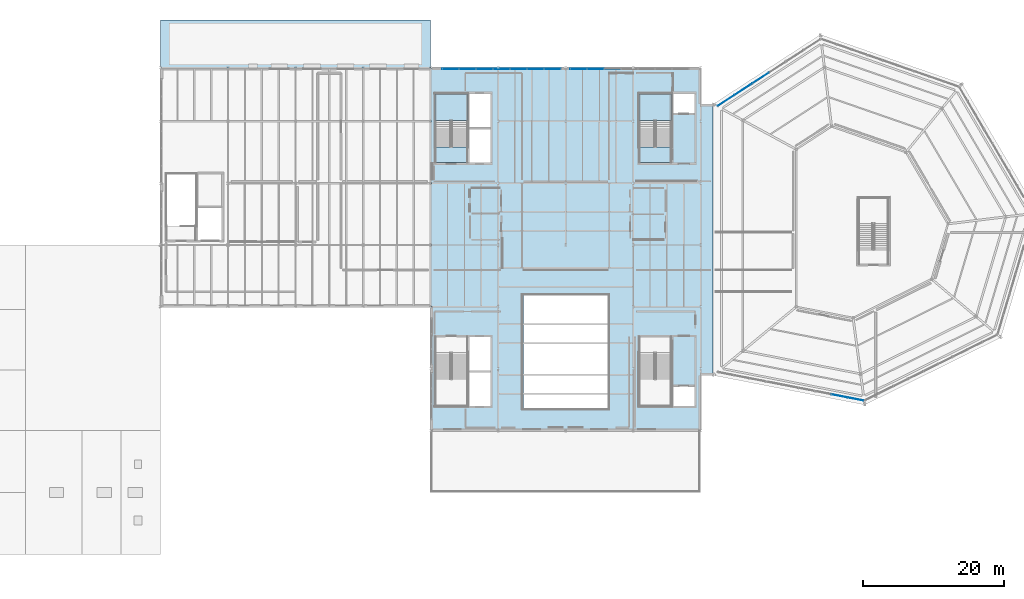
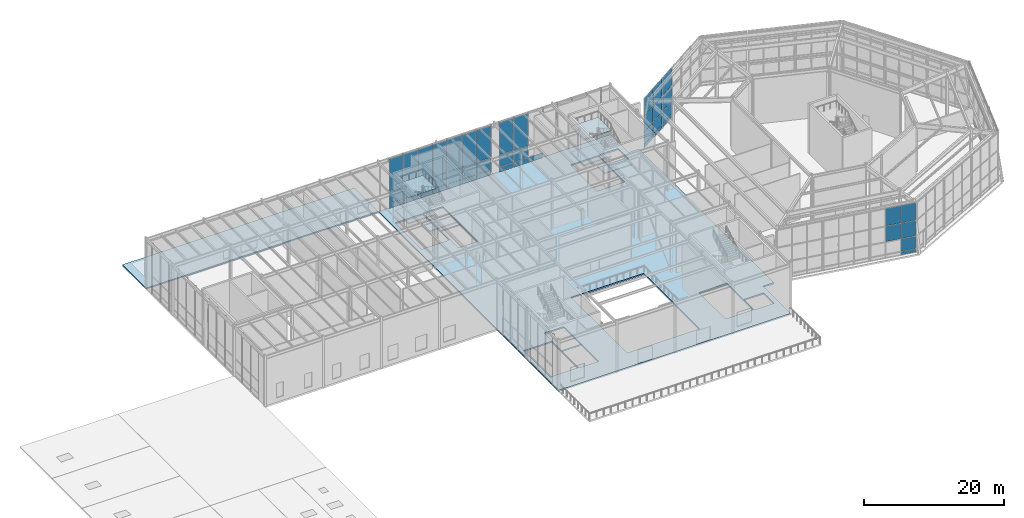
# One storey, part 27 of 48: 46 plates, 8 slabs, 7 elements without a shape of their own.
"""IFC4 building model written with IfcOpenShell, lengths in metres."""

from ifc_helpers import new_model, si_unit, direction, frame, origin, origin_2d, place, context, subcontext, project, spatial, polyline, rectangle, outline, extrude, material, layer, layer_set, type_object, element, aggregate, save


model = new_model("IFC4")

# Units and contexts
model_context = context("Model", 3, precision=1e-05, world=origin(), true_north=direction((0.0, 1.0)))
body_context = subcontext(model_context, "Body", "Model", "MODEL_VIEW")
ifc_project = project(units=[si_unit("LENGTHUNIT", "METRE"), si_unit("AREAUNIT", "SQUARE_METRE"), si_unit("VOLUMEUNIT", "CUBIC_METRE"), si_unit("PLANEANGLEUNIT", "RADIAN"), si_unit("MASSUNIT", "GRAM", prefix="KILO")], contexts=[model_context])

# Site, building, storey
site_placement = place(None, origin())
site = spatial("IfcSite", under=ifc_project, at=site_placement, CompositionType="ELEMENT")
building_placement = place(site_placement, origin())
building = spatial("IfcBuilding", under=site, at=building_placement, Name="Sarnbrook Museum", CompositionType="ELEMENT")
storey_placement = place(building_placement, frame((0.0, 0.0, 19.10009765625)))
storey = spatial("IfcBuildingStorey", under=building, at=storey_placement, Name="L04", CompositionType="ELEMENT", Elevation=19.10009765625)

# Curtain wall, plates
ifc_material_1 = material(Name="Thermally Broken Anodised Aluminium 6063-T6", Category="aluminium")
curtain_wall_type_1 = type_object("IfcCurtainWallType", Name="CurtainWall_CrystalFacet", PredefinedType="NOTDEFINED", material=ifc_material_1)
curtain_wall_1_placement = place(storey_placement, origin())
curtain_wall_1 = element("IfcCurtainWall", 1, at=curtain_wall_1_placement, inside=storey, type_object=curtain_wall_type_1, Name="Crystal Hall Facet Curtain Wall L04-F1.3", PredefinedType="NOTDEFINED")
ifc_material_2 = material(Name="Double-Glazed Low-Iron Laminated Safety Glass", Category="glass")
ifc_layer_1 = layer(ifc_material_2, 0.031982421875)
ifc_layer_set_1 = layer_set([ifc_layer_1], Name="Double-Glazed Low-Iron Laminated Safety Glass")
plate_type_1 = type_object("IfcPlateType", Name="CW_GlazedPanel_32", PredefinedType="CURTAIN_PANEL", material=ifc_layer_set_1)
plate_1_placement = place(storey_placement, frame((138.984619140625, 61.74853515625, 4.224853515625), z_axis=(-0.191312886927, -0.981529102623, 0.0), x_axis=(0.981529102623, -0.191312886927, 0.0)))
plate_1 = element("IfcPlate", 2, at=plate_1_placement, type_object=plate_type_1, Name="Crystal Hall Facet Curtain Wall L04-F1.3 Glazed Panel 2-3", PredefinedType="CURTAIN_PANEL", context=body_context, shape_type="SweptSolid", body=[
    extrude(rectangle(XDim=2.239501953125, YDim=2.679931640625, at=origin_2d()), origin(), (0.0, 0.0, 1.0), 0.031982421875),
])
plate_2_placement = place(storey_placement, frame((138.984619140625, 61.74853515625, 7.169921875), z_axis=(-0.191312886927, -0.981529102623, 0.0), x_axis=(0.981529102623, -0.191312886927, 0.0)))
plate_2 = element("IfcPlate", 3, at=plate_2_placement, type_object=plate_type_1, Name="Crystal Hall Facet Curtain Wall L04-F1.3 Glazed Panel 2-4", PredefinedType="CURTAIN_PANEL", context=body_context, shape_type="SweptSolid", body=[
    extrude(rectangle(XDim=2.239501953125, YDim=3.070068359375, at=origin_2d()), origin(), (0.0, 0.0, 1.0), 0.031982421875),
])
plate_3_placement = place(storey_placement, frame((141.25634765625, 61.305908203125, 1.75), z_axis=(-0.191312886927, -0.981529102623, 0.0), x_axis=(0.981529102623, -0.191312886927, 0.0)))
plate_3 = element("IfcPlate", 4, at=plate_3_placement, type_object=plate_type_1, Name="Crystal Hall Facet Curtain Wall L04-F1.3 Glazed Panel 3-2", PredefinedType="CURTAIN_PANEL", context=body_context, shape_type="SweptSolid", body=[
    extrude(rectangle(XDim=2.239501953125, YDim=2.1298828125, at=origin_2d()), origin(), (0.0, 0.0, 1.0), 0.031982421875),
])
plate_4_placement = place(storey_placement, frame((141.25634765625, 61.305908203125, 4.224853515625), z_axis=(-0.191312886927, -0.981529102623, 0.0), x_axis=(0.981529102623, -0.191312886927, 0.0)))
plate_4 = element("IfcPlate", 5, at=plate_4_placement, type_object=plate_type_1, Name="Crystal Hall Facet Curtain Wall L04-F1.3 Glazed Panel 3-3", PredefinedType="CURTAIN_PANEL", context=body_context, shape_type="SweptSolid", body=[
    extrude(rectangle(XDim=2.239501953125, YDim=2.679931640625, at=origin_2d()), origin(), (0.0, 0.0, 1.0), 0.031982421875),
])
plate_5_placement = place(storey_placement, frame((141.25634765625, 61.305908203125, 7.169921875), z_axis=(-0.191312886927, -0.981529102623, 0.0), x_axis=(0.981529102623, -0.191312886927, 0.0)))
plate_5 = element("IfcPlate", 6, at=plate_5_placement, type_object=plate_type_1, Name="Crystal Hall Facet Curtain Wall L04-F1.3 Glazed Panel 3-4", PredefinedType="CURTAIN_PANEL", context=body_context, shape_type="SweptSolid", body=[
    extrude(rectangle(XDim=2.239501953125, YDim=3.070068359375, at=origin_2d()), origin(), (0.0, 0.0, 1.0), 0.031982421875),
])

curtain_wall_2_placement = place(storey_placement, origin())
curtain_wall_2 = element("IfcCurtainWall", 7, at=curtain_wall_2_placement, inside=storey, type_object=curtain_wall_type_1, Name="Crystal Hall Facet Curtain Wall L04-F6.2", PredefinedType="NOTDEFINED")
plate_6_placement = place(storey_placement, frame((127.74169921875, 106.927978515625, 1.75), z_axis=(-0.544286878136, 0.83889915621, 0.0), x_axis=(-0.83889915621, -0.544286878136, 0.0)))
plate_6 = element("IfcPlate", 8, at=plate_6_placement, type_object=plate_type_1, Name="Crystal Hall Facet Curtain Wall L04-F6.2 Glazed Panel 2-2", PredefinedType="CURTAIN_PANEL", context=body_context, shape_type="SweptSolid", body=[
    extrude(rectangle(XDim=2.778076171875, YDim=2.1298828125, at=origin_2d()), origin(), (0.0, 0.0, 1.0), 0.031982421875),
])
plate_7_placement = place(storey_placement, frame((127.74169921875, 106.927978515625, 4.224853515625), z_axis=(-0.544286878136, 0.83889915621, 0.0), x_axis=(-0.83889915621, -0.544286878136, 0.0)))
plate_7 = element("IfcPlate", 9, at=plate_7_placement, type_object=plate_type_1, Name="Crystal Hall Facet Curtain Wall L04-F6.2 Glazed Panel 2-3", PredefinedType="CURTAIN_PANEL", context=body_context, shape_type="SweptSolid", body=[
    extrude(rectangle(XDim=2.778076171875, YDim=2.679931640625, at=origin_2d()), origin(), (0.0, 0.0, 1.0), 0.031982421875),
])
plate_8_placement = place(storey_placement, frame((127.74169921875, 106.927978515625, 7.169921875), z_axis=(-0.544286878136, 0.83889915621, 0.0), x_axis=(-0.83889915621, -0.544286878136, 0.0)))
plate_8 = element("IfcPlate", 10, at=plate_8_placement, type_object=plate_type_1, Name="Crystal Hall Facet Curtain Wall L04-F6.2 Glazed Panel 2-4", PredefinedType="CURTAIN_PANEL", context=body_context, shape_type="SweptSolid", body=[
    extrude(rectangle(XDim=2.778076171875, YDim=3.070068359375, at=origin_2d()), origin(), (0.0, 0.0, 1.0), 0.031982421875),
])

curtain_wall_3_placement = place(storey_placement, origin())
curtain_wall_3 = element("IfcCurtainWall", 11, at=curtain_wall_3_placement, inside=storey, type_object=curtain_wall_type_1, Name="Crystal Hall Facet Curtain Wall L04-F6.3", PredefinedType="NOTDEFINED")
plate_9_placement = place(storey_placement, frame((125.214111328125, 105.2880859375, 1.75), z_axis=(-0.544286878136, 0.83889915621, 0.0), x_axis=(-0.83889915621, -0.544286878136, 0.0)))
plate_9 = element("IfcPlate", 12, at=plate_9_placement, type_object=plate_type_1, Name="Crystal Hall Facet Curtain Wall L04-F6.3 Glazed Panel 1-2", PredefinedType="CURTAIN_PANEL", context=body_context, shape_type="SweptSolid", body=[
    extrude(rectangle(XDim=2.778076171875, YDim=2.1298828125, at=origin_2d()), origin(), (0.0, 0.0, 1.0), 0.031982421875),
])
plate_10_placement = place(storey_placement, frame((125.214111328125, 105.2880859375, 4.224853515625), z_axis=(-0.544286878136, 0.83889915621, 0.0), x_axis=(-0.83889915621, -0.544286878136, 0.0)))
plate_10 = element("IfcPlate", 13, at=plate_10_placement, type_object=plate_type_1, Name="Crystal Hall Facet Curtain Wall L04-F6.3 Glazed Panel 1-3", PredefinedType="CURTAIN_PANEL", context=body_context, shape_type="SweptSolid", body=[
    extrude(rectangle(XDim=2.778076171875, YDim=2.679931640625, at=origin_2d()), origin(), (0.0, 0.0, 1.0), 0.031982421875),
])
plate_11_placement = place(storey_placement, frame((125.214111328125, 105.2880859375, 7.169921875), z_axis=(-0.544286878136, 0.83889915621, 0.0), x_axis=(-0.83889915621, -0.544286878136, 0.0)))
plate_11 = element("IfcPlate", 14, at=plate_11_placement, type_object=plate_type_1, Name="Crystal Hall Facet Curtain Wall L04-F6.3 Glazed Panel 1-4", PredefinedType="CURTAIN_PANEL", context=body_context, shape_type="SweptSolid", body=[
    extrude(rectangle(XDim=2.778076171875, YDim=3.070068359375, at=origin_2d()), origin(), (0.0, 0.0, 1.0), 0.031982421875),
])
plate_12_placement = place(storey_placement, frame((122.82080078125, 103.7353515625, 1.75), z_axis=(-0.544286878136, 0.83889915621, 0.0), x_axis=(-0.83889915621, -0.544286878136, 0.0)))
plate_12 = element("IfcPlate", 15, at=plate_12_placement, type_object=plate_type_1, Name="Crystal Hall Facet Curtain Wall L04-F6.3 Glazed Panel 2-2", PredefinedType="CURTAIN_PANEL", context=body_context, shape_type="SweptSolid", body=[
    extrude(rectangle(XDim=2.778076171875, YDim=2.1298828125, at=origin_2d()), origin(), (0.0, 0.0, 1.0), 0.031982421875),
])
plate_13_placement = place(storey_placement, frame((122.82080078125, 103.7353515625, 4.224853515625), z_axis=(-0.544286878136, 0.83889915621, 0.0), x_axis=(-0.83889915621, -0.544286878136, 0.0)))
plate_13 = element("IfcPlate", 16, at=plate_13_placement, type_object=plate_type_1, Name="Crystal Hall Facet Curtain Wall L04-F6.3 Glazed Panel 2-3", PredefinedType="CURTAIN_PANEL", context=body_context, shape_type="SweptSolid", body=[
    extrude(rectangle(XDim=2.778076171875, YDim=2.679931640625, at=origin_2d()), origin(), (0.0, 0.0, 1.0), 0.031982421875),
])
plate_14_placement = place(storey_placement, frame((122.82080078125, 103.7353515625, 7.169921875), z_axis=(-0.544286878136, 0.83889915621, 0.0), x_axis=(-0.83889915621, -0.544286878136, 0.0)))
plate_14 = element("IfcPlate", 17, at=plate_14_placement, type_object=plate_type_1, Name="Crystal Hall Facet Curtain Wall L04-F6.3 Glazed Panel 2-4", PredefinedType="CURTAIN_PANEL", context=body_context, shape_type="SweptSolid", body=[
    extrude(rectangle(XDim=2.778076171875, YDim=3.070068359375, at=origin_2d()), origin(), (0.0, 0.0, 1.0), 0.031982421875),
])

curtain_wall_type_2 = type_object("IfcCurtainWallType", Name="CurtainWall_GalleryRibbon", PredefinedType="NOTDEFINED", material=ifc_material_1)
curtain_wall_4_placement = place(storey_placement, origin())
curtain_wall_4 = element("IfcCurtainWall", 18, at=curtain_wall_4_placement, inside=storey, type_object=curtain_wall_type_2, Name="Gallery Ribbon Curtain Wall L04-10.1", PredefinedType="NOTDEFINED")
plate_15_placement = place(storey_placement, frame((104.25439453125, 108.23193359375, 1.949951171875), z_axis=(0.0, 1.0, 0.0), x_axis=(-1.0, 0.0, 0.0)))
plate_15 = element("IfcPlate", 19, at=plate_15_placement, type_object=plate_type_1, Name="Gallery Ribbon Curtain Wall L04-10.1 Glazed Panel 6-2", PredefinedType="CURTAIN_PANEL", context=body_context, shape_type="SweptSolid", body=[
    extrude(rectangle(XDim=2.347900390625, YDim=2.030029296875, at=origin_2d()), origin(), (0.0, 0.0, 1.0), 0.031982421875),
])
plate_16_placement = place(storey_placement, frame((104.25439453125, 108.23193359375, 5.829833984375), z_axis=(0.0, 1.0, 0.0), x_axis=(-1.0, 0.0, 0.0)))
plate_16 = element("IfcPlate", 20, at=plate_16_placement, type_object=plate_type_1, Name="Gallery Ribbon Curtain Wall L04-10.1 Glazed Panel 6-3", PredefinedType="CURTAIN_PANEL", context=body_context, shape_type="SweptSolid", body=[
    extrude(rectangle(XDim=2.347900390625, YDim=5.590087890625, at=origin_2d()), origin(), (0.0, 0.0, 1.0), 0.031982421875),
])
plate_17_placement = place(storey_placement, frame((101.831298828125, 108.23193359375, 1.949951171875), z_axis=(0.0, 1.0, 0.0), x_axis=(-1.0, 0.0, 0.0)))
plate_17 = element("IfcPlate", 21, at=plate_17_placement, type_object=plate_type_1, Name="Gallery Ribbon Curtain Wall L04-10.1 Glazed Panel 7-2", PredefinedType="CURTAIN_PANEL", context=body_context, shape_type="SweptSolid", body=[
    extrude(rectangle(XDim=2.347900390625, YDim=2.030029296875, at=origin_2d()), origin(), (0.0, 0.0, 1.0), 0.031982421875),
])
plate_18_placement = place(storey_placement, frame((101.831298828125, 108.23193359375, 5.829833984375), z_axis=(0.0, 1.0, 0.0), x_axis=(-1.0, 0.0, 0.0)))
plate_18 = element("IfcPlate", 22, at=plate_18_placement, type_object=plate_type_1, Name="Gallery Ribbon Curtain Wall L04-10.1 Glazed Panel 7-3", PredefinedType="CURTAIN_PANEL", context=body_context, shape_type="SweptSolid", body=[
    extrude(rectangle(XDim=2.347900390625, YDim=5.590087890625, at=origin_2d()), origin(), (0.0, 0.0, 1.0), 0.031982421875),
])

curtain_wall_5_placement = place(storey_placement, origin())
curtain_wall_5 = element("IfcCurtainWall", 23, at=curtain_wall_5_placement, inside=storey, type_object=curtain_wall_type_2, Name="Gallery Ribbon Curtain Wall L04-10.2", PredefinedType="NOTDEFINED")
plate_19_placement = place(storey_placement, frame((98.168701171875, 108.23193359375, 1.949951171875), z_axis=(0.0, 1.0, 0.0), x_axis=(-1.0, 0.0, 0.0)))
plate_19 = element("IfcPlate", 24, at=plate_19_placement, type_object=plate_type_1, Name="Gallery Ribbon Curtain Wall L04-10.2 Glazed Panel 1-2", PredefinedType="CURTAIN_PANEL", context=body_context, shape_type="SweptSolid", body=[
    extrude(rectangle(XDim=2.347900390625, YDim=2.030029296875, at=origin_2d()), origin(), (0.0, 0.0, 1.0), 0.031982421875),
])
plate_20_placement = place(storey_placement, frame((98.168701171875, 108.23193359375, 5.829833984375), z_axis=(0.0, 1.0, 0.0), x_axis=(-1.0, 0.0, 0.0)))
plate_20 = element("IfcPlate", 25, at=plate_20_placement, type_object=plate_type_1, Name="Gallery Ribbon Curtain Wall L04-10.2 Glazed Panel 1-3", PredefinedType="CURTAIN_PANEL", context=body_context, shape_type="SweptSolid", body=[
    extrude(rectangle(XDim=2.347900390625, YDim=5.590087890625, at=origin_2d()), origin(), (0.0, 0.0, 1.0), 0.031982421875),
])
plate_21_placement = place(storey_placement, frame((95.74560546875, 108.23193359375, 1.949951171875), z_axis=(0.0, 1.0, 0.0), x_axis=(-1.0, 0.0, 0.0)))
plate_21 = element("IfcPlate", 26, at=plate_21_placement, type_object=plate_type_1, Name="Gallery Ribbon Curtain Wall L04-10.2 Glazed Panel 2-2", PredefinedType="CURTAIN_PANEL", context=body_context, shape_type="SweptSolid", body=[
    extrude(rectangle(XDim=2.347900390625, YDim=2.030029296875, at=origin_2d()), origin(), (0.0, 0.0, 1.0), 0.031982421875),
])
plate_22_placement = place(storey_placement, frame((95.74560546875, 108.23193359375, 5.829833984375), z_axis=(0.0, 1.0, 0.0), x_axis=(-1.0, 0.0, 0.0)))
plate_22 = element("IfcPlate", 27, at=plate_22_placement, type_object=plate_type_1, Name="Gallery Ribbon Curtain Wall L04-10.2 Glazed Panel 2-3", PredefinedType="CURTAIN_PANEL", context=body_context, shape_type="SweptSolid", body=[
    extrude(rectangle(XDim=2.347900390625, YDim=5.590087890625, at=origin_2d()), origin(), (0.0, 0.0, 1.0), 0.031982421875),
])
plate_23_placement = place(storey_placement, frame((93.322998046875, 108.23193359375, 1.949951171875), z_axis=(0.0, 1.0, 0.0), x_axis=(-1.0, 0.0, 0.0)))
plate_23 = element("IfcPlate", 28, at=plate_23_placement, type_object=plate_type_1, Name="Gallery Ribbon Curtain Wall L04-10.2 Glazed Panel 3-2", PredefinedType="CURTAIN_PANEL", context=body_context, shape_type="SweptSolid", body=[
    extrude(rectangle(XDim=2.347900390625, YDim=2.030029296875, at=origin_2d()), origin(), (0.0, 0.0, 1.0), 0.031982421875),
])
plate_24_placement = place(storey_placement, frame((93.322998046875, 108.23193359375, 5.829833984375), z_axis=(0.0, 1.0, 0.0), x_axis=(-1.0, 0.0, 0.0)))
plate_24 = element("IfcPlate", 29, at=plate_24_placement, type_object=plate_type_1, Name="Gallery Ribbon Curtain Wall L04-10.2 Glazed Panel 3-3", PredefinedType="CURTAIN_PANEL", context=body_context, shape_type="SweptSolid", body=[
    extrude(rectangle(XDim=2.347900390625, YDim=5.590087890625, at=origin_2d()), origin(), (0.0, 0.0, 1.0), 0.031982421875),
])
plate_25_placement = place(storey_placement, frame((90.89990234375, 108.23193359375, 1.949951171875), z_axis=(0.0, 1.0, 0.0), x_axis=(-1.0, 0.0, 0.0)))
plate_25 = element("IfcPlate", 30, at=plate_25_placement, type_object=plate_type_1, Name="Gallery Ribbon Curtain Wall L04-10.2 Glazed Panel 4-2", PredefinedType="CURTAIN_PANEL", context=body_context, shape_type="SweptSolid", body=[
    extrude(rectangle(XDim=2.347900390625, YDim=2.030029296875, at=origin_2d()), origin(), (0.0, 0.0, 1.0), 0.031982421875),
])
plate_26_placement = place(storey_placement, frame((90.89990234375, 108.23193359375, 5.829833984375), z_axis=(0.0, 1.0, 0.0), x_axis=(-1.0, 0.0, 0.0)))
plate_26 = element("IfcPlate", 31, at=plate_26_placement, type_object=plate_type_1, Name="Gallery Ribbon Curtain Wall L04-10.2 Glazed Panel 4-3", PredefinedType="CURTAIN_PANEL", context=body_context, shape_type="SweptSolid", body=[
    extrude(rectangle(XDim=2.347900390625, YDim=5.590087890625, at=origin_2d()), origin(), (0.0, 0.0, 1.0), 0.031982421875),
])
plate_27_placement = place(storey_placement, frame((88.47705078125, 108.23193359375, 1.949951171875), z_axis=(0.0, 1.0, 0.0), x_axis=(-1.0, 0.0, 0.0)))
plate_27 = element("IfcPlate", 32, at=plate_27_placement, type_object=plate_type_1, Name="Gallery Ribbon Curtain Wall L04-10.2 Glazed Panel 5-2", PredefinedType="CURTAIN_PANEL", context=body_context, shape_type="SweptSolid", body=[
    extrude(rectangle(XDim=2.347900390625, YDim=2.030029296875, at=origin_2d()), origin(), (0.0, 0.0, 1.0), 0.031982421875),
])
plate_28_placement = place(storey_placement, frame((88.47705078125, 108.23193359375, 5.829833984375), z_axis=(0.0, 1.0, 0.0), x_axis=(-1.0, 0.0, 0.0)))
plate_28 = element("IfcPlate", 33, at=plate_28_placement, type_object=plate_type_1, Name="Gallery Ribbon Curtain Wall L04-10.2 Glazed Panel 5-3", PredefinedType="CURTAIN_PANEL", context=body_context, shape_type="SweptSolid", body=[
    extrude(rectangle(XDim=2.347900390625, YDim=5.590087890625, at=origin_2d()), origin(), (0.0, 0.0, 1.0), 0.031982421875),
])
plate_29_placement = place(storey_placement, frame((86.05419921875, 108.23193359375, 1.949951171875), z_axis=(0.0, 1.0, 0.0), x_axis=(-1.0, 0.0, 0.0)))
plate_29 = element("IfcPlate", 34, at=plate_29_placement, type_object=plate_type_1, Name="Gallery Ribbon Curtain Wall L04-10.2 Glazed Panel 6-2", PredefinedType="CURTAIN_PANEL", context=body_context, shape_type="SweptSolid", body=[
    extrude(rectangle(XDim=2.347900390625, YDim=2.030029296875, at=origin_2d()), origin(), (0.0, 0.0, 1.0), 0.031982421875),
])
plate_30_placement = place(storey_placement, frame((86.05419921875, 108.23193359375, 5.829833984375), z_axis=(0.0, 1.0, 0.0), x_axis=(-1.0, 0.0, 0.0)))
plate_30 = element("IfcPlate", 35, at=plate_30_placement, type_object=plate_type_1, Name="Gallery Ribbon Curtain Wall L04-10.2 Glazed Panel 6-3", PredefinedType="CURTAIN_PANEL", context=body_context, shape_type="SweptSolid", body=[
    extrude(rectangle(XDim=2.347900390625, YDim=5.590087890625, at=origin_2d()), origin(), (0.0, 0.0, 1.0), 0.031982421875),
])
plate_31_placement = place(storey_placement, frame((83.63134765625, 108.23193359375, 1.949951171875), z_axis=(0.0, 1.0, 0.0), x_axis=(-1.0, 0.0, 0.0)))
plate_31 = element("IfcPlate", 36, at=plate_31_placement, type_object=plate_type_1, Name="Gallery Ribbon Curtain Wall L04-10.2 Glazed Panel 7-2", PredefinedType="CURTAIN_PANEL", context=body_context, shape_type="SweptSolid", body=[
    extrude(rectangle(XDim=2.347900390625, YDim=2.030029296875, at=origin_2d()), origin(), (0.0, 0.0, 1.0), 0.031982421875),
])
plate_32_placement = place(storey_placement, frame((83.63134765625, 108.23193359375, 5.829833984375), z_axis=(0.0, 1.0, 0.0), x_axis=(-1.0, 0.0, 0.0)))
plate_32 = element("IfcPlate", 37, at=plate_32_placement, type_object=plate_type_1, Name="Gallery Ribbon Curtain Wall L04-10.2 Glazed Panel 7-3", PredefinedType="CURTAIN_PANEL", context=body_context, shape_type="SweptSolid", body=[
    extrude(rectangle(XDim=2.347900390625, YDim=5.590087890625, at=origin_2d()), origin(), (0.0, 0.0, 1.0), 0.031982421875),
])

# Plate
ifc_material_3 = material(Name="Patinated Architectural Bronze")
ifc_layer_2 = layer(ifc_material_3, 0.044921875)
ifc_layer_set_2 = layer_set([ifc_layer_2], Name="Patinated Architectural Bronze")
plate_type_2 = type_object("IfcPlateType", Name="CW_SpandrelPanel_45", PredefinedType="CURTAIN_PANEL", material=ifc_layer_set_2)
plate_33_placement = place(storey_placement, frame((141.257568359375, 61.312255859375, 0.324951171875), z_axis=(-0.191312886927, -0.981529102623, 0.0), x_axis=(0.981529102623, -0.191312886927, 0.0)))
plate_33 = element("IfcPlate", 38, at=plate_33_placement, type_object=plate_type_2, Name="Crystal Hall Facet Curtain Wall L04-F1.3 Spandrel Panel 3-1", PredefinedType="CURTAIN_PANEL", context=body_context, shape_type="SweptSolid", body=[
    extrude(rectangle(XDim=2.239501953125, YDim=0.580078125, at=origin_2d()), origin(), (0.0, 0.0, 1.0), 0.044921875),
])

aggregate(curtain_wall_1, [plate_1, plate_2, plate_33, plate_3, plate_4, plate_5])

plate_34_placement = place(storey_placement, frame((127.7451171875, 106.922607421875, 0.324951171875), z_axis=(-0.544286878136, 0.83889915621, 0.0), x_axis=(-0.83889915621, -0.544286878136, 0.0)))
plate_34 = element("IfcPlate", 39, at=plate_34_placement, type_object=plate_type_2, Name="Crystal Hall Facet Curtain Wall L04-F6.2 Spandrel Panel 2-1", PredefinedType="CURTAIN_PANEL", context=body_context, shape_type="SweptSolid", body=[
    extrude(rectangle(XDim=2.778076171875, YDim=0.580078125, at=origin_2d()), origin(), (0.0, 0.0, 1.0), 0.044921875),
])

aggregate(curtain_wall_2, [plate_34, plate_6, plate_7, plate_8])

plate_35_placement = place(storey_placement, frame((125.217529296875, 105.28271484375, 0.324951171875), z_axis=(-0.544286878136, 0.83889915621, 0.0), x_axis=(-0.83889915621, -0.544286878136, 0.0)))
plate_35 = element("IfcPlate", 40, at=plate_35_placement, type_object=plate_type_2, Name="Crystal Hall Facet Curtain Wall L04-F6.3 Spandrel Panel 1-1", PredefinedType="CURTAIN_PANEL", context=body_context, shape_type="SweptSolid", body=[
    extrude(rectangle(XDim=2.778076171875, YDim=0.580078125, at=origin_2d()), origin(), (0.0, 0.0, 1.0), 0.044921875),
])

plate_36_placement = place(storey_placement, frame((122.82421875, 103.72998046875, 0.324951171875), z_axis=(-0.544286878136, 0.83889915621, 0.0), x_axis=(-0.83889915621, -0.544286878136, 0.0)))
plate_36 = element("IfcPlate", 41, at=plate_36_placement, type_object=plate_type_2, Name="Crystal Hall Facet Curtain Wall L04-F6.3 Spandrel Panel 2-1", PredefinedType="CURTAIN_PANEL", context=body_context, shape_type="SweptSolid", body=[
    extrude(rectangle(XDim=2.778076171875, YDim=0.580078125, at=origin_2d()), origin(), (0.0, 0.0, 1.0), 0.044921875),
])

aggregate(curtain_wall_3, [plate_35, plate_9, plate_10, plate_11, plate_36, plate_12, plate_13, plate_14])

plate_37_placement = place(storey_placement, frame((106.677001953125, 108.2255859375, 0.449951171875), z_axis=(0.0, 1.0, 0.0), x_axis=(-1.0, 0.0, 0.0)))
plate_37 = element("IfcPlate", 42, at=plate_37_placement, type_object=plate_type_2, Name="Gallery Ribbon Curtain Wall L04-10.1 Spandrel Panel 5-1", PredefinedType="CURTAIN_PANEL", context=body_context, shape_type="SweptSolid", body=[
    extrude(rectangle(XDim=2.347900390625, YDim=0.830078125, at=origin_2d()), origin(), (0.0, 0.0, 1.0), 0.044921875),
])

plate_38_placement = place(storey_placement, frame((104.25439453125, 108.2255859375, 0.449951171875), z_axis=(0.0, 1.0, 0.0), x_axis=(-1.0, 0.0, 0.0)))
plate_38 = element("IfcPlate", 43, at=plate_38_placement, type_object=plate_type_2, Name="Gallery Ribbon Curtain Wall L04-10.1 Spandrel Panel 6-1", PredefinedType="CURTAIN_PANEL", context=body_context, shape_type="SweptSolid", body=[
    extrude(rectangle(XDim=2.347900390625, YDim=0.830078125, at=origin_2d()), origin(), (0.0, 0.0, 1.0), 0.044921875),
])

plate_39_placement = place(storey_placement, frame((101.831298828125, 108.2255859375, 0.449951171875), z_axis=(0.0, 1.0, 0.0), x_axis=(-1.0, 0.0, 0.0)))
plate_39 = element("IfcPlate", 44, at=plate_39_placement, type_object=plate_type_2, Name="Gallery Ribbon Curtain Wall L04-10.1 Spandrel Panel 7-1", PredefinedType="CURTAIN_PANEL", context=body_context, shape_type="SweptSolid", body=[
    extrude(rectangle(XDim=2.347900390625, YDim=0.830078125, at=origin_2d()), origin(), (0.0, 0.0, 1.0), 0.044921875),
])

aggregate(curtain_wall_4, [plate_37, plate_38, plate_15, plate_16, plate_39, plate_17, plate_18])

plate_40_placement = place(storey_placement, frame((98.168701171875, 108.2255859375, 0.449951171875), z_axis=(0.0, 1.0, 0.0), x_axis=(-1.0, 0.0, 0.0)))
plate_40 = element("IfcPlate", 45, at=plate_40_placement, type_object=plate_type_2, Name="Gallery Ribbon Curtain Wall L04-10.2 Spandrel Panel 1-1", PredefinedType="CURTAIN_PANEL", context=body_context, shape_type="SweptSolid", body=[
    extrude(rectangle(XDim=2.347900390625, YDim=0.830078125, at=origin_2d()), origin(), (0.0, 0.0, 1.0), 0.044921875),
])

plate_41_placement = place(storey_placement, frame((95.74560546875, 108.2255859375, 0.449951171875), z_axis=(0.0, 1.0, 0.0), x_axis=(-1.0, 0.0, 0.0)))
plate_41 = element("IfcPlate", 46, at=plate_41_placement, type_object=plate_type_2, Name="Gallery Ribbon Curtain Wall L04-10.2 Spandrel Panel 2-1", PredefinedType="CURTAIN_PANEL", context=body_context, shape_type="SweptSolid", body=[
    extrude(rectangle(XDim=2.347900390625, YDim=0.830078125, at=origin_2d()), origin(), (0.0, 0.0, 1.0), 0.044921875),
])

plate_42_placement = place(storey_placement, frame((93.322998046875, 108.2255859375, 0.449951171875), z_axis=(0.0, 1.0, 0.0), x_axis=(-1.0, 0.0, 0.0)))
plate_42 = element("IfcPlate", 47, at=plate_42_placement, type_object=plate_type_2, Name="Gallery Ribbon Curtain Wall L04-10.2 Spandrel Panel 3-1", PredefinedType="CURTAIN_PANEL", context=body_context, shape_type="SweptSolid", body=[
    extrude(rectangle(XDim=2.347900390625, YDim=0.830078125, at=origin_2d()), origin(), (0.0, 0.0, 1.0), 0.044921875),
])

plate_43_placement = place(storey_placement, frame((90.89990234375, 108.2255859375, 0.449951171875), z_axis=(0.0, 1.0, 0.0), x_axis=(-1.0, 0.0, 0.0)))
plate_43 = element("IfcPlate", 48, at=plate_43_placement, type_object=plate_type_2, Name="Gallery Ribbon Curtain Wall L04-10.2 Spandrel Panel 4-1", PredefinedType="CURTAIN_PANEL", context=body_context, shape_type="SweptSolid", body=[
    extrude(rectangle(XDim=2.347900390625, YDim=0.830078125, at=origin_2d()), origin(), (0.0, 0.0, 1.0), 0.044921875),
])

plate_44_placement = place(storey_placement, frame((88.47705078125, 108.2255859375, 0.449951171875), z_axis=(0.0, 1.0, 0.0), x_axis=(-1.0, 0.0, 0.0)))
plate_44 = element("IfcPlate", 49, at=plate_44_placement, type_object=plate_type_2, Name="Gallery Ribbon Curtain Wall L04-10.2 Spandrel Panel 5-1", PredefinedType="CURTAIN_PANEL", context=body_context, shape_type="SweptSolid", body=[
    extrude(rectangle(XDim=2.347900390625, YDim=0.830078125, at=origin_2d()), origin(), (0.0, 0.0, 1.0), 0.044921875),
])

plate_45_placement = place(storey_placement, frame((86.05419921875, 108.2255859375, 0.449951171875), z_axis=(0.0, 1.0, 0.0), x_axis=(-1.0, 0.0, 0.0)))
plate_45 = element("IfcPlate", 50, at=plate_45_placement, type_object=plate_type_2, Name="Gallery Ribbon Curtain Wall L04-10.2 Spandrel Panel 6-1", PredefinedType="CURTAIN_PANEL", context=body_context, shape_type="SweptSolid", body=[
    extrude(rectangle(XDim=2.347900390625, YDim=0.830078125, at=origin_2d()), origin(), (0.0, 0.0, 1.0), 0.044921875),
])

plate_46_placement = place(storey_placement, frame((83.63134765625, 108.2255859375, 0.449951171875), z_axis=(0.0, 1.0, 0.0), x_axis=(-1.0, 0.0, 0.0)))
plate_46 = element("IfcPlate", 51, at=plate_46_placement, type_object=plate_type_2, Name="Gallery Ribbon Curtain Wall L04-10.2 Spandrel Panel 7-1", PredefinedType="CURTAIN_PANEL", context=body_context, shape_type="SweptSolid", body=[
    extrude(rectangle(XDim=2.347900390625, YDim=0.830078125, at=origin_2d()), origin(), (0.0, 0.0, 1.0), 0.044921875),
])

aggregate(curtain_wall_5, [plate_40, plate_19, plate_20, plate_41, plate_21, plate_22, plate_42, plate_23, plate_24, plate_43, plate_25, plate_26, plate_44, plate_27, plate_28, plate_45, plate_29, plate_30, plate_46, plate_31, plate_32])

# Slab
ifc_material_4 = material(Name="Concrete N40 (AS 3600, f'c = 40 MPa)", Category="concrete")
ifc_layer_3 = layer(ifc_material_4, 0.25)
ifc_layer_set_3 = layer_set([ifc_layer_3], Name="Concrete N40 (AS 3600, f'c = 40 MPa)")
slab_type_1 = type_object("IfcSlabType", Name="FloorSlab_250", PredefinedType="FLOOR", material=ifc_layer_set_3)
slab_1_placement = place(storey_placement, frame((0.0, 0.0, -0.25)))
element("IfcSlab", 52, at=slab_1_placement, inside=storey, type_object=slab_type_1, Name="V2 Structural Slab L04", PredefinedType="FLOOR", context=body_context, shape_type="SweptSolid", body=[
    extrude(outline(polyline([(120.973388671875, 103.234619140625), (120.973388671875, 64.664306640625), (119.199951171875, 64.664306640625), (119.199951171875, 56.800048828125), (80.8349609375, 56.800048828125), (80.8349609375, 108.39990234375), (119.199951171875, 108.39990234375), (119.199951171875, 103.234619140625), (120.973388671875, 103.234619140625)]), holes=[polyline([(86.199951171875, 60.199951171875), (86.199951171875, 65.179931640625), (89.39990234375, 65.179931640625), (89.39990234375, 60.199951171875), (86.199951171875, 60.199951171875)]), polyline([(81.43994140625, 67.879638671875), (86.06005859375, 67.879638671875), (86.06005859375, 60.300048828125), (81.43994140625, 60.300048828125), (81.43994140625, 67.879638671875)]), polyline([(86.199951171875, 70.199951171875), (89.39990234375, 70.199951171875), (89.39990234375, 65.219970703125), (86.199951171875, 65.219970703125), (86.199951171875, 70.199951171875)]), polyline([(89.39990234375, 99.780029296875), (89.39990234375, 94.800048828125), (86.199951171875, 94.800048828125), (86.199951171875, 99.780029296875), (89.39990234375, 99.780029296875)]), polyline([(86.06005859375, 104.699951171875), (86.06005859375, 97.120361328125), (81.43994140625, 97.120361328125), (81.43994140625, 104.699951171875), (86.06005859375, 104.699951171875)]), polyline([(86.199951171875, 104.800048828125), (89.39990234375, 104.800048828125), (89.39990234375, 99.820068359375), (86.199951171875, 99.820068359375), (86.199951171875, 104.800048828125)]), polyline([(115.199951171875, 63.179931640625), (118.39990234375, 63.179931640625), (118.39990234375, 60.199951171875), (115.199951171875, 60.199951171875), (115.199951171875, 63.179931640625)]), polyline([(115.06005859375, 67.879638671875), (115.06005859375, 60.300048828125), (110.43994140625, 60.300048828125), (110.43994140625, 67.879638671875), (115.06005859375, 67.879638671875)]), polyline([(94.0, 76.0), (106.0, 76.0), (106.0, 60.0), (94.0, 60.0), (94.0, 76.0)]), polyline([(115.06005859375, 104.699951171875), (115.06005859375, 97.120361328125), (110.43994140625, 97.120361328125), (110.43994140625, 104.699951171875), (115.06005859375, 104.699951171875)]), polyline([(118.39990234375, 104.800048828125), (118.39990234375, 101.820068359375), (115.199951171875, 101.820068359375), (115.199951171875, 104.800048828125), (118.39990234375, 104.800048828125)])]), origin(), (0.0, 0.0, 1.0), 0.25),
])

# Stair, slabs
stair_type = type_object("IfcStairType", Name="Stair_ST04", PredefinedType="HALF_TURN_STAIR", material=ifc_material_4)
stair_1_placement = place(storey_placement, origin())
stair_1 = element("IfcStair", 53, at=stair_1_placement, inside=storey, type_object=stair_type, Name="L04 Exit Stair ST2", PredefinedType="HALF_TURN_STAIR")
ifc_layer_4 = layer(ifc_material_4, 0.199951171875)
ifc_layer_set_4 = layer_set([ifc_layer_4], Name="Concrete N40 (AS 3600, f'c = 40 MPa)")
slab_type_2 = type_object("IfcSlabType", Name="Landing_200", PredefinedType="LANDING", material=ifc_layer_set_4)
slab_2_placement = place(storey_placement, frame((0.0, 0.0, 2.0498046875)))
slab_2 = element("IfcSlab", 54, at=slab_2_placement, type_object=slab_type_2, Name="ST2 landing 1", PredefinedType="LANDING", context=body_context, shape_type="SweptSolid", body=[
    extrude(outline(polyline([(115.06005859375, 100.889892578125), (115.06005859375, 104.699951171875), (110.43994140625, 104.699951171875), (110.43994140625, 100.889892578125), (115.06005859375, 100.889892578125)])), origin(), (0.0, 0.0, 1.0), 0.2001953125),
])
slab_3_placement = place(storey_placement, frame((0.0, 0.0, 4.2998046875)))
slab_3 = element("IfcSlab", 55, at=slab_3_placement, type_object=slab_type_2, Name="ST2 landing 2", PredefinedType="LANDING", context=body_context, shape_type="SweptSolid", body=[
    extrude(outline(polyline([(115.06005859375, 94.89990234375), (115.06005859375, 97.1201171875), (110.43994140625, 97.1201171875), (110.43994140625, 94.89990234375), (115.06005859375, 94.89990234375)])), origin(), (0.0, 0.0, 1.0), 0.2001953125),
])
slab_4_placement = place(storey_placement, frame((0.0, 0.0, 6.5498046875)))
slab_4 = element("IfcSlab", 56, at=slab_4_placement, type_object=slab_type_2, Name="ST2 landing 3", PredefinedType="LANDING", context=body_context, shape_type="SweptSolid", body=[
    extrude(outline(polyline([(115.06005859375, 100.889892578125), (115.06005859375, 104.699951171875), (110.43994140625, 104.699951171875), (110.43994140625, 100.889892578125), (115.06005859375, 100.889892578125)])), origin(), (0.0, 0.0, 1.0), 0.2001953125),
])
aggregate(stair_1, [slab_2, slab_3, slab_4])

stair_2_placement = place(storey_placement, origin())
stair_2 = element("IfcStair", 57, at=stair_2_placement, inside=storey, type_object=stair_type, Name="L04 Exit Stair ST4", PredefinedType="HALF_TURN_STAIR")
slab_5_placement = place(storey_placement, frame((0.0, 0.0, 2.0498046875)))
slab_5 = element("IfcSlab", 58, at=slab_5_placement, type_object=slab_type_2, Name="ST4 landing 1", PredefinedType="LANDING", context=body_context, shape_type="SweptSolid", body=[
    extrude(outline(polyline([(86.06005859375, 100.889892578125), (86.06005859375, 104.699951171875), (81.43994140625, 104.699951171875), (81.43994140625, 100.889892578125), (86.06005859375, 100.889892578125)])), origin(), (0.0, 0.0, 1.0), 0.2001953125),
])
slab_6_placement = place(storey_placement, frame((0.0, 0.0, 4.2998046875)))
slab_6 = element("IfcSlab", 59, at=slab_6_placement, type_object=slab_type_2, Name="ST4 landing 2", PredefinedType="LANDING", context=body_context, shape_type="SweptSolid", body=[
    extrude(outline(polyline([(86.06005859375, 94.89990234375), (86.06005859375, 97.1201171875), (81.43994140625, 97.1201171875), (81.43994140625, 94.89990234375), (86.06005859375, 94.89990234375)])), origin(), (0.0, 0.0, 1.0), 0.2001953125),
])
slab_7_placement = place(storey_placement, frame((0.0, 0.0, 6.5498046875)))
slab_7 = element("IfcSlab", 60, at=slab_7_placement, type_object=slab_type_2, Name="ST4 landing 3", PredefinedType="LANDING", context=body_context, shape_type="SweptSolid", body=[
    extrude(outline(polyline([(86.06005859375, 100.889892578125), (86.06005859375, 104.699951171875), (81.43994140625, 104.699951171875), (81.43994140625, 100.889892578125), (86.06005859375, 100.889892578125)])), origin(), (0.0, 0.0, 1.0), 0.2001953125),
])
aggregate(stair_2, [slab_5, slab_6, slab_7])

# Slab
ifc_layer_5 = layer(ifc_material_4, 0.2099609375)
ifc_layer_set_5 = layer_set([ifc_layer_5], Name="Concrete N40 (AS 3600, f'c = 40 MPa)")
slab_type_3 = type_object("IfcSlabType", Name="RoofSlab_Zinc210", PredefinedType="ROOF", material=ifc_layer_set_5)
slab_8_placement = place(storey_placement, frame((0.0, 0.0, -0.210205078125)))
element("IfcSlab", 61, at=slab_8_placement, inside=storey, type_object=slab_type_3, Name="North Archive Setback Roof Slab L04", PredefinedType="ROOF", context=body_context, shape_type="SweptSolid", body=[
    extrude(outline(polyline([(42.39990234375, 115.199951171875), (80.800048828125, 115.199951171875), (80.800048828125, 108.39990234375), (80.76904296875, 108.39990234375), (80.76904296875, 108.404052734375), (42.39990234375, 108.404052734375), (42.39990234375, 115.199951171875)])), origin(), (0.0, 0.0, 1.0), 0.210205078125),
])

save(model, "model.ifc")
